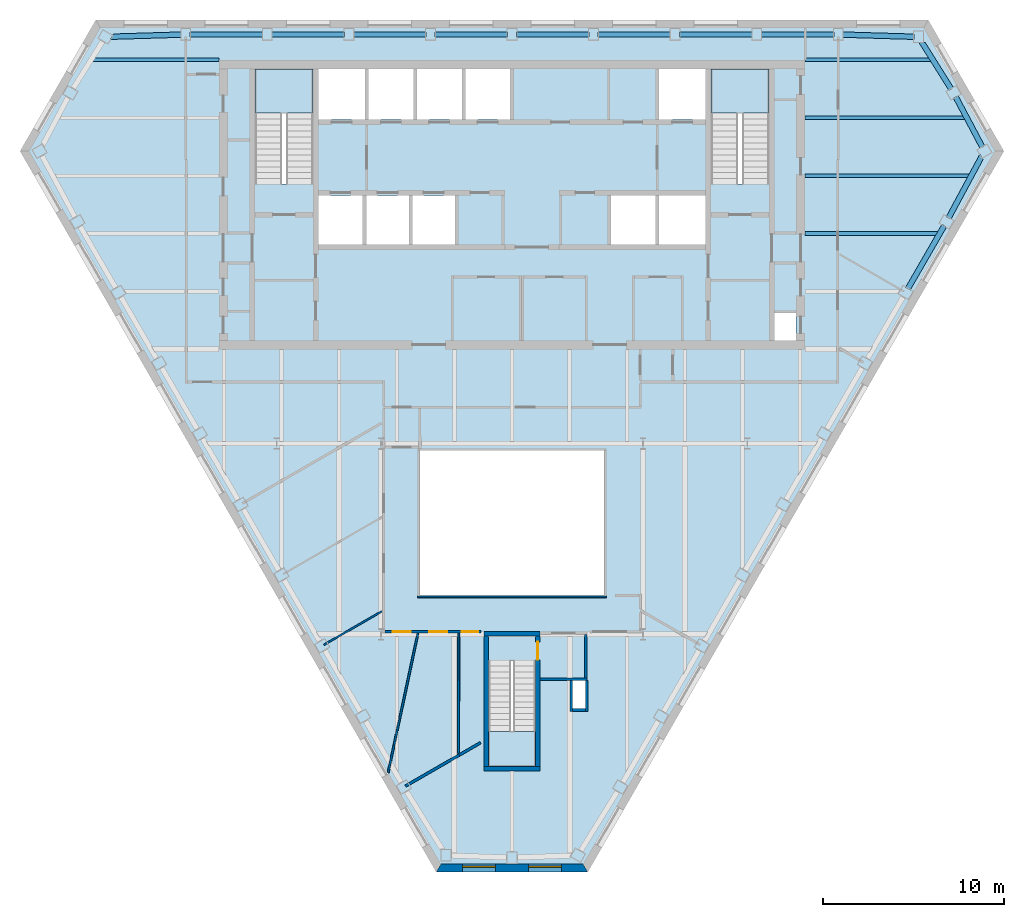
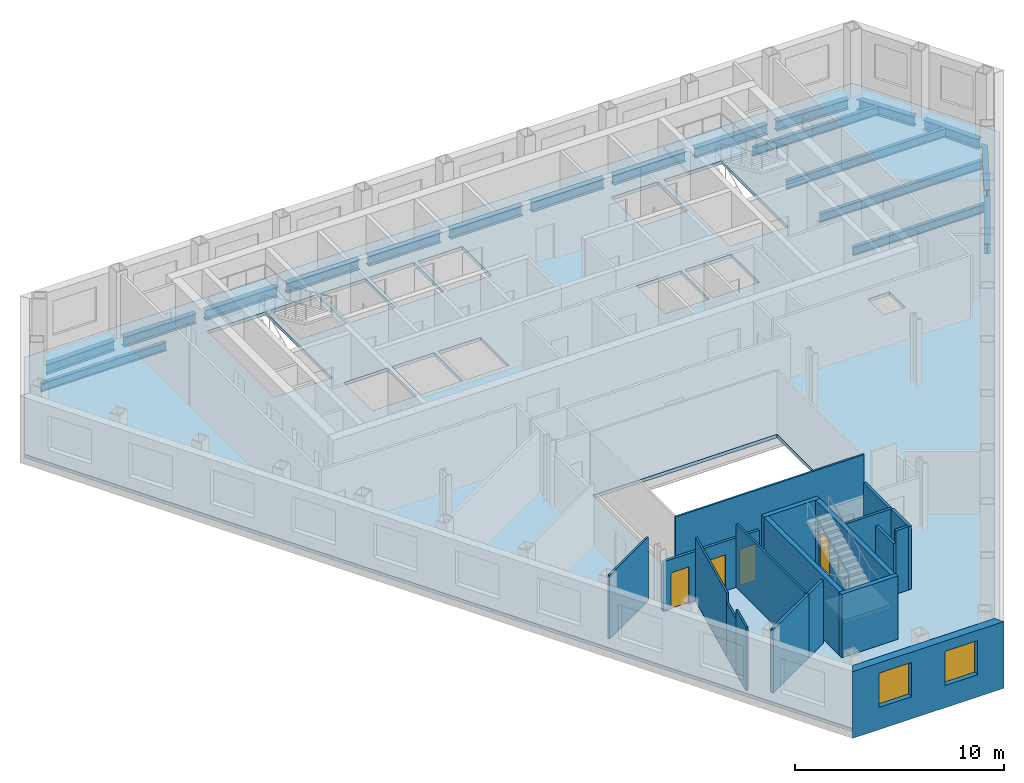
# One storey, part 3 of 10: 19 beams, 19 walls, 4 doors, 4 slabs, 2 windows, 6 openings, 3 elements without a shape of their own.
"""IFC4 building model written with IfcOpenShell, lengths in metres."""

from ifc_helpers import new_model, si_unit, direction, frame, frame_2d, origin, origin_2d, place, context, subcontext, project, spatial, polyline, rectangle, i_section, outline, extrude, clip, halfspace, material, layer, layer_set, material_profile, profile_set, type_object, element, fill, aggregate, save


model = new_model("IFC4")

# Units and contexts
model_context = context("Model", 3, precision=1e-05, world=origin(), true_north=direction((0.0, 1.0)))
body_context = subcontext(model_context, "Body", "Model", "MODEL_VIEW")
ifc_project = project(units=[si_unit("LENGTHUNIT", "METRE"), si_unit("AREAUNIT", "SQUARE_METRE"), si_unit("VOLUMEUNIT", "CUBIC_METRE"), si_unit("PLANEANGLEUNIT", "RADIAN"), si_unit("MASSUNIT", "GRAM", prefix="KILO")], contexts=[model_context])

# Site, building, storey
site_placement = place(None, origin())
site = spatial("IfcSite", under=ifc_project, at=site_placement, CompositionType="ELEMENT")
building_placement = place(site_placement, origin())
building = spatial("IfcBuilding", under=site, at=building_placement, Name="Njiva Tower", CompositionType="ELEMENT")
storey_placement = place(building_placement, frame((0.0, 0.0, 167.1)))
storey = spatial("IfcBuildingStorey", under=building, at=storey_placement, Name="L36", CompositionType="ELEMENT", Elevation=167.1)

# Beams
ifc_material_1 = material(Name="Steel S355 J2", Category="steel")
ifc_material_profile_1 = material_profile(ifc_material_1, i_section(OverallWidth=0.2, OverallDepth=0.5, WebThickness=0.0102, FlangeThickness=0.016, at=origin_2d()), Name="IPE 500")
ifc_profile_set_1 = profile_set([ifc_material_profile_1], Name="Steel S355 J2")
beam_type_1 = type_object("IfcBeamType", Name="B24 Floor beam to the core IPE 500", PredefinedType="BEAM", material=ifc_profile_set_1)
beam_1_placement = place(storey_placement, frame((16.2, 8.4, -0.45), z_axis=(1.0, 0.0, 0.0), x_axis=(0.0, 1.0, 0.0)))
element("IfcBeam", 1, at=beam_1_placement, inside=storey, type_object=beam_type_1, Name="Floor beam to the core S12-B009", PredefinedType="BEAM", context=body_context, shape_type="Clipping", body=[
    clip(extrude(i_section(OverallWidth=0.2, OverallDepth=0.5, WebThickness=0.0102, FlangeThickness=0.016, at=origin_2d()), origin(), (0.0, 0.0, 1.0), 7.396), halfspace(frame((-0.025, 0.0, 7.3036), z_axis=(-0.499998009787, 0.0, 0.866026552831), x_axis=(0.0, 1.0, 0.0)), False)),
])
beam_2_placement = place(storey_placement, frame((16.2, 11.6, -0.45), z_axis=(1.0, 0.0, 0.0), x_axis=(0.0, 1.0, 0.0)))
element("IfcBeam", 2, at=beam_2_placement, inside=storey, type_object=beam_type_1, Name="Floor beam to the core S12-B010", PredefinedType="BEAM", context=body_context, shape_type="Clipping", body=[
    clip(extrude(i_section(OverallWidth=0.2, OverallDepth=0.5, WebThickness=0.0102, FlangeThickness=0.016, at=origin_2d()), origin(), (0.0, 0.0, 1.0), 9.141), halfspace(frame((-0.0237, 0.0, 9.0542), z_axis=(-0.473769423091, 0.0, 0.880648927634), x_axis=(0.0, 1.0, 0.0)), False)),
])
beam_3_placement = place(storey_placement, frame((16.2, 14.8, -0.45), z_axis=(1.0, 0.0, 0.0), x_axis=(0.0, 1.0, 0.0)))
element("IfcBeam", 3, at=beam_3_placement, inside=storey, type_object=beam_type_1, Name="Floor beam to the core S12-B011", PredefinedType="BEAM", context=body_context, shape_type="Clipping", body=[
    clip(extrude(i_section(OverallWidth=0.2, OverallDepth=0.5, WebThickness=0.0102, FlangeThickness=0.016, at=origin_2d()), origin(), (0.0, 0.0, 1.0), 8.888), halfspace(frame((0.0234, 0.0, 8.8028), z_axis=(0.468070575493, 0.0, 0.883691086499), x_axis=(0.0, 1.0, 0.0)), False)),
])
beam_4_placement = place(storey_placement, frame((-23.221, 18.0, -0.45), z_axis=(1.0, 0.0, 0.0), x_axis=(0.0, 1.0, 0.0)))
element("IfcBeam", 4, at=beam_4_placement, inside=storey, type_object=beam_type_1, Name="Floor beam to the core S12-B004", PredefinedType="BEAM", context=body_context, shape_type="Clipping", body=[
    clip(extrude(i_section(OverallWidth=0.2, OverallDepth=0.5, WebThickness=0.0102, FlangeThickness=0.016, at=origin_2d()), origin(), (0.0, 0.0, 1.0), 7.021), halfspace(frame((0.0266, 0.0, 0.1), z_axis=(0.531259476258, 0.0, -0.847209164779), x_axis=(0.0, -1.0, 0.0)), False)),
])
beam_5_placement = place(storey_placement, frame((16.2, 18.0, -0.45), z_axis=(1.0, 0.0, 0.0), x_axis=(0.0, 1.0, 0.0)))
element("IfcBeam", 5, at=beam_5_placement, inside=storey, type_object=beam_type_1, Name="Floor beam to the core S12-B012", PredefinedType="BEAM", context=body_context, shape_type="Clipping", body=[
    clip(extrude(i_section(OverallWidth=0.2, OverallDepth=0.5, WebThickness=0.0102, FlangeThickness=0.016, at=origin_2d()), origin(), (0.0, 0.0, 1.0), 7.021), halfspace(frame((0.0266, 0.0, 6.921), z_axis=(0.531259476258, 0.0, 0.847209164779), x_axis=(0.0, 1.0, 0.0)), False)),
])
ifc_material_profile_2 = material_profile(ifc_material_1, i_section(OverallWidth=0.3, OverallDepth=0.59, WebThickness=0.013, FlangeThickness=0.025, at=origin_2d()), Name="HEA 600")
ifc_profile_set_2 = profile_set([ifc_material_profile_2], Name="Steel S355 J2")
beam_type_2 = type_object("IfcBeamType", Name="B27 Short-span spandrel beam HEA 600", PredefinedType="SPANDREL", material=ifc_profile_set_2)
beam_6_placement = place(storey_placement, frame((22.207, 19.275, -0.495), z_axis=(-0.999555557575, 0.029810859097, 0.0), x_axis=(-0.029810859097, -0.999555557575, 0.0)))
element("IfcBeam", 6, at=beam_6_placement, inside=storey, type_object=beam_type_2, Name="Short-span spandrel beam S12-B140", PredefinedType="SPANDREL", context=body_context, shape_type="SweptSolid", body=[
    extrude(i_section(OverallWidth=0.3, OverallDepth=0.59, WebThickness=0.013, FlangeThickness=0.025, at=origin_2d()), origin(), (0.0, 0.0, 1.0), 3.9247),
])
beam_7_placement = place(storey_placement, frame((17.78, 19.4, -0.495), z_axis=(-1.0, 0.0, 0.0), x_axis=(0.0, -1.0, 0.0)))
element("IfcBeam", 7, at=beam_7_placement, inside=storey, type_object=beam_type_2, Name="Short-span spandrel beam S12-B134", PredefinedType="SPANDREL", context=body_context, shape_type="SweptSolid", body=[
    extrude(i_section(OverallWidth=0.3, OverallDepth=0.59, WebThickness=0.013, FlangeThickness=0.025, at=origin_2d()), origin(), (0.0, 0.0, 1.0), 4.007),
])
beam_8_placement = place(storey_placement, frame((13.273, 19.4, -0.495), z_axis=(-1.0, 0.0, 0.0), x_axis=(0.0, -1.0, 0.0)))
element("IfcBeam", 8, at=beam_8_placement, inside=storey, type_object=beam_type_2, Name="Short-span spandrel beam S12-B129", PredefinedType="SPANDREL", context=body_context, shape_type="SweptSolid", body=[
    extrude(i_section(OverallWidth=0.3, OverallDepth=0.59, WebThickness=0.013, FlangeThickness=0.025, at=origin_2d()), origin(), (0.0, 0.0, 1.0), 4.008),
])
beam_9_placement = place(storey_placement, frame((8.765, 19.4, -0.495), z_axis=(-1.0, 0.0, 0.0), x_axis=(0.0, -1.0, 0.0)))
element("IfcBeam", 9, at=beam_9_placement, inside=storey, type_object=beam_type_2, Name="Short-span spandrel beam S12-B124", PredefinedType="SPANDREL", context=body_context, shape_type="SweptSolid", body=[
    extrude(i_section(OverallWidth=0.3, OverallDepth=0.59, WebThickness=0.013, FlangeThickness=0.025, at=origin_2d()), origin(), (0.0, 0.0, 1.0), 4.007),
])
for number, where, z_axis, x_axis, name in (
    (10, (4.258, 19.4, -0.495), (-1.0, 0.0, 0.0), (0.0, -1.0, 0.0), "Short-span spandrel beam S12-B120"),
    (11, (-0.25, 19.4, -0.495), (-1.0, 0.0, 0.0), (0.0, -1.0, 0.0), "Short-span spandrel beam S12-B115"),
):
    element("IfcBeam", number, at=place(storey_placement, frame(where, z_axis=z_axis, x_axis=x_axis)), inside=storey, type_object=beam_type_2, Name=name, PredefinedType="SPANDREL", context=body_context, shape_type="SweptSolid", body=[
        extrude(i_section(OverallWidth=0.3, OverallDepth=0.59, WebThickness=0.013, FlangeThickness=0.025, at=origin_2d()), origin(), (0.0, 0.0, 1.0), 4.008),
    ])
beam_10_placement = place(storey_placement, frame((-4.758, 19.4, -0.495), z_axis=(-1.0, 0.0, 0.0), x_axis=(0.0, -1.0, 0.0)))
element("IfcBeam", 12, at=beam_10_placement, inside=storey, type_object=beam_type_2, Name="Short-span spandrel beam S12-B109", PredefinedType="SPANDREL", context=body_context, shape_type="SweptSolid", body=[
    extrude(i_section(OverallWidth=0.3, OverallDepth=0.59, WebThickness=0.013, FlangeThickness=0.025, at=origin_2d()), origin(), (0.0, 0.0, 1.0), 4.007),
])
beam_11_placement = place(storey_placement, frame((-9.265, 19.4, -0.495), z_axis=(-1.0, 0.0, 0.0), x_axis=(0.0, -1.0, 0.0)))
element("IfcBeam", 13, at=beam_11_placement, inside=storey, type_object=beam_type_2, Name="Short-span spandrel beam S12-B104", PredefinedType="SPANDREL", context=body_context, shape_type="SweptSolid", body=[
    extrude(i_section(OverallWidth=0.3, OverallDepth=0.59, WebThickness=0.013, FlangeThickness=0.025, at=origin_2d()), origin(), (0.0, 0.0, 1.0), 4.008),
])
beam_12_placement = place(storey_placement, frame((-13.773, 19.4, -0.495), z_axis=(-1.0, 0.0, 0.0), x_axis=(0.0, -1.0, 0.0)))
element("IfcBeam", 14, at=beam_12_placement, inside=storey, type_object=beam_type_2, Name="Short-span spandrel beam S12-B099", PredefinedType="SPANDREL", context=body_context, shape_type="SweptSolid", body=[
    extrude(i_section(OverallWidth=0.3, OverallDepth=0.59, WebThickness=0.013, FlangeThickness=0.025, at=origin_2d()), origin(), (0.0, 0.0, 1.0), 4.007),
])
beam_13_placement = place(storey_placement, frame((-18.284, 19.392, -0.495), z_axis=(-0.999548343255, -0.030051780255, 0.0), x_axis=(0.030051780255, -0.999548343255, 0.0)))
element("IfcBeam", 15, at=beam_13_placement, inside=storey, type_object=beam_type_2, Name="Short-span spandrel beam S12-B093", PredefinedType="SPANDREL", context=body_context, shape_type="Clipping", body=[
    clip(extrude(i_section(OverallWidth=0.3, OverallDepth=0.59, WebThickness=0.013, FlangeThickness=0.025, at=origin_2d()), origin(), (0.0, 0.0, 1.0), 3.9397), halfspace(frame((-0.0268, 0.0, 3.81), z_axis=(-0.525797821974, 0.0, 0.850609575779), x_axis=(0.0, 1.0, 0.0)), False)),
])
beam_14_placement = place(storey_placement, frame((21.879, 5.361, -0.495), z_axis=(0.499924104568, 0.866069217599, 0.0), x_axis=(-0.866069217599, 0.499924104568, 0.0)))
element("IfcBeam", 16, at=beam_14_placement, inside=storey, type_object=beam_type_2, Name="Short-span spandrel beam S12-B144", PredefinedType="SPANDREL", context=body_context, shape_type="SweptSolid", body=[
    extrude(i_section(OverallWidth=0.3, OverallDepth=0.59, WebThickness=0.013, FlangeThickness=0.025, at=origin_2d()), origin(), (0.0, 0.0, 1.0), 4.0066),
])
beam_15_placement = place(storey_placement, frame((24.128, 9.271, -0.495), z_axis=(0.473772541358, 0.88064725007, 0.0), x_axis=(-0.88064725007, 0.473772541358, 0.0)))
element("IfcBeam", 17, at=beam_15_placement, inside=storey, type_object=beam_type_2, Name="Short-span spandrel beam S12-B148", PredefinedType="SPANDREL", context=body_context, shape_type="Clipping", body=[
    clip(extrude(i_section(OverallWidth=0.3, OverallDepth=0.59, WebThickness=0.013, FlangeThickness=0.025, at=origin_2d()), origin(), (0.0, 0.0, 1.0), 3.9397), halfspace(frame((-0.0259, 0.0, 3.8102), z_axis=(-0.525778574468, 0.0, 0.850621473178), x_axis=(0.0, 1.0, 0.0)), False)),
])
beam_16_placement = place(storey_placement, frame((25.989, 13.176, -0.495), z_axis=(-0.468107171573, 0.883671701438, 0.0), x_axis=(-0.883671701438, -0.468107171573, 0.0)))
element("IfcBeam", 18, at=beam_16_placement, inside=storey, type_object=beam_type_2, Name="Short-span spandrel beam S12-B149", PredefinedType="SPANDREL", context=body_context, shape_type="SweptSolid", body=[
    extrude(i_section(OverallWidth=0.3, OverallDepth=0.59, WebThickness=0.013, FlangeThickness=0.025, at=origin_2d()), origin(), (0.0, 0.0, 1.0), 3.1403),
])
beam_17_placement = place(storey_placement, frame((24.264, 16.392, -0.495), z_axis=(-0.531329059017, 0.847165527535, 0.0), x_axis=(-0.847165527535, -0.531329059017, 0.0)))
element("IfcBeam", 19, at=beam_17_placement, inside=storey, type_object=beam_type_2, Name="Short-span spandrel beam S12-B145", PredefinedType="SPANDREL", context=body_context, shape_type="Clipping", body=[
    clip(extrude(i_section(OverallWidth=0.3, OverallDepth=0.59, WebThickness=0.013, FlangeThickness=0.025, at=origin_2d()), origin(), (0.0, 0.0, 1.0), 3.1535), halfspace(frame((-0.0269, 0.0, 3.0227), z_axis=(-0.531329059017, 0.0, 0.847165527535), x_axis=(0.0, 1.0, 0.0)), False)),
])

# Stair, slab
ifc_material_2 = material(Name="Concrete C40/50", Category="concrete")
stair_type_1 = type_object("IfcStairType", Name="ST4 Exit stair 1500", PredefinedType="HALF_TURN_STAIR", material=ifc_material_2)
stair_1_placement = place(storey_placement, origin())
stair_1 = element("IfcStair", 20, at=stair_1_placement, inside=storey, type_object=stair_type_1, Name="Stair A", PredefinedType="HALF_TURN_STAIR")
ifc_layer_1 = layer(ifc_material_2, 0.2)
ifc_layer_set_1 = layer_set([ifc_layer_1], Name="Concrete C40/50")
slab_type_1 = type_object("IfcSlabType", Name="FL9 Stair landing 200", PredefinedType="LANDING", material=ifc_layer_set_1)
slab_1_placement = place(storey_placement, frame((0.0, 0.0, 1.75)))
slab_1 = element("IfcSlab", 21, at=slab_1_placement, type_object=slab_type_1, Name="ST-A landing 1", PredefinedType="LANDING", context=body_context, shape_type="SweptSolid", body=[
    extrude(outline(polyline([(-14.206, 15.06), (-10.994, 15.06), (-10.994, 17.5), (-14.206, 17.5), (-14.206, 15.06)])), origin(), (0.0, 0.0, 1.0), 0.2),
])
aggregate(stair_1, [slab_1])

stair_2_placement = place(storey_placement, origin())
stair_2 = element("IfcStair", 22, at=stair_2_placement, inside=storey, type_object=stair_type_1, Name="Stair B", PredefinedType="HALF_TURN_STAIR")
slab_2_placement = place(storey_placement, frame((0.0, 0.0, 1.75)))
slab_2 = element("IfcSlab", 23, at=slab_2_placement, type_object=slab_type_1, Name="ST-B landing 1", PredefinedType="LANDING", context=body_context, shape_type="SweptSolid", body=[
    extrude(outline(polyline([(10.994, 15.06), (14.206, 15.06), (14.206, 17.5), (10.994, 17.5), (10.994, 15.06)])), origin(), (0.0, 0.0, 1.0), 0.2),
])
aggregate(stair_2, [slab_2])

stair_type_2 = type_object("IfcStairType", Name="ST1 Exit stair 1250", PredefinedType="HALF_TURN_STAIR", material=ifc_material_2)
stair_3_placement = place(storey_placement, origin())
stair_3 = element("IfcStair", 24, at=stair_3_placement, inside=storey, type_object=stair_type_2, Name="Stair C", PredefinedType="HALF_TURN_STAIR")
slab_3_placement = place(storey_placement, frame((0.0, 0.0, 1.75)))
slab_3 = element("IfcSlab", 25, at=slab_3_placement, type_object=slab_type_1, Name="ST-C landing 1", PredefinedType="LANDING", context=body_context, shape_type="SweptSolid", body=[
    extrude(outline(polyline([(-1.306, -21.05), (1.306, -21.05), (1.306, -19.12), (-1.306, -19.12), (-1.306, -21.05)])), origin(), (0.0, 0.0, 1.0), 0.2),
])
aggregate(stair_3, [slab_3])

# Slab
ifc_material_3 = material(Name="Concrete C30/37", Category="concrete")
ifc_layer_2 = layer(ifc_material_3, 0.2)
ifc_layer_set_2 = layer_set([ifc_layer_2], Name="Concrete C30/37")
slab_type_2 = type_object("IfcSlabType", Name="SL16 Composite floor slab 200", PredefinedType="FLOOR", material=ifc_layer_set_2)
slab_4_placement = place(storey_placement, frame((0.0, 0.0, -0.2)))
element("IfcSlab", 26, at=slab_4_placement, inside=storey, type_object=slab_type_2, Name="Floor slab L36", PredefinedType="FLOOR", context=body_context, shape_type="SweptSolid", body=[
    extrude(outline(polyline([(26.9252, 12.9514), (4.0551, -26.6608), (-4.0551, -26.6608), (-26.9252, 12.9514), (-22.8701, 19.975), (22.8701, 19.975), (26.9252, 12.9514)]), holes=[polyline([(14.5, 2.5), (15.7, 2.5), (15.7, 4.0), (14.5, 4.0), (14.5, 2.5)]), polyline([(10.994, 11.13), (14.206, 11.13), (14.206, 17.5), (10.994, 17.5), (10.994, 11.13)]), polyline([(8.125, 14.7), (10.7, 14.7), (10.7, 17.5), (8.125, 17.5), (8.125, 14.7)]), polyline([(8.1333, 7.8), (10.7, 7.8), (10.7, 10.5), (8.1333, 10.5), (8.1333, 7.8)]), polyline([(5.4667, 7.8), (7.9333, 7.8), (7.9333, 10.5), (5.4667, 10.5), (5.4667, 7.8)]), polyline([(5.09, -11.6), (5.09, -3.6), (-5.09, -3.6), (-5.09, -11.6), (5.09, -11.6)]), polyline([(3.35, -17.85), (4.05, -17.85), (4.05, -16.3), (3.35, -16.3), (3.35, -17.85)]), polyline([(-1.306, -21.05), (1.306, -21.05), (1.306, -15.19), (-1.306, -15.19), (-1.306, -21.05)]), polyline([(-2.575, 14.7), (-0.1, 14.7), (-0.1, 17.5), (-2.575, 17.5), (-2.575, 14.7)]), polyline([(-5.25, 14.7), (-2.775, 14.7), (-2.775, 17.5), (-5.25, 17.5), (-5.25, 14.7)]), polyline([(-5.5, 7.8), (-3.15, 7.8), (-3.15, 10.5), (-5.5, 10.5), (-5.5, 7.8)]), polyline([(-7.925, 14.7), (-5.45, 14.7), (-5.45, 17.5), (-7.925, 17.5), (-7.925, 14.7)]), polyline([(-8.05, 7.8), (-5.7, 7.8), (-5.7, 10.5), (-8.05, 10.5), (-8.05, 7.8)]), polyline([(-10.7, 14.7), (-8.125, 14.7), (-8.125, 17.5), (-10.7, 17.5), (-10.7, 14.7)]), polyline([(-10.7, 7.8), (-8.25, 7.8), (-8.25, 10.5), (-10.7, 10.5), (-10.7, 7.8)]), polyline([(-14.206, 11.13), (-10.994, 11.13), (-10.994, 17.5), (-14.206, 17.5), (-14.206, 11.13)])]), origin(), (0.0, 0.0, 1.0), 0.2),
])

# Walls
ifc_material_4 = material(Name="Gypsum board on steel studs", Category="gypsum")
ifc_layer_3 = layer(ifc_material_4, 0.1)
ifc_layer_set_3 = layer_set([ifc_layer_3], Name="Gypsum board on steel studs")
wall_type_1 = type_object("IfcWallType", Name="WT20 Gypsum partition 100", PredefinedType="PARTITIONING", material=ifc_layer_set_3)
wall_1_placement = place(storey_placement, frame((-10.398, -14.325, 0.0), z_axis=(0.0, 0.0, 1.0), x_axis=(0.866041729639, 0.499971721724, 0.0)))
element("IfcWall", 27, at=wall_1_placement, inside=storey, type_object=wall_type_1, Name="Partition S12-P007", PredefinedType="PARTITIONING", context=body_context, shape_type="SweptSolid", body=[
    extrude(rectangle(XDim=3.7042, YDim=0.1, at=frame_2d((1.8521, 0.0))), origin(), (0.0, 0.0, 1.0), 3.7),
])
wall_2_placement = place(storey_placement, frame((-6.844, -21.38, 0.0), z_axis=(0.0, 0.0, 1.0), x_axis=(0.209529088731, 0.977802414077, 0.0)))
element("IfcWall", 28, at=wall_2_placement, inside=storey, type_object=wall_type_1, Name="Partition S12-P013", PredefinedType="PARTITIONING", context=body_context, shape_type="SweptSolid", body=[
    extrude(rectangle(XDim=1.542, YDim=0.1, at=frame_2d((0.771, 0.0))), origin(), (0.0, 0.0, 1.0), 3.7),
])
wall_3_placement = place(storey_placement, frame((-6.5209, -19.8722, 0.0), z_axis=(0.0, 0.0, 1.0), x_axis=(0.209543036328, 0.977799425203, 0.0)))
element("IfcWall", 29, at=wall_3_placement, inside=storey, type_object=wall_type_1, Name="Partition S12-P013A", PredefinedType="PARTITIONING", context=body_context, shape_type="SweptSolid", body=[
    extrude(rectangle(XDim=1.4689, YDim=0.1, at=frame_2d((0.7345, 0.0))), origin(), (0.0, 0.0, 1.0), 3.15),
])
wall_4_placement = place(storey_placement, frame((-6.2131, -18.4359, 0.0), z_axis=(0.0, 0.0, 1.0), x_axis=(0.209538927619, 0.977800305692, 0.0)))
element("IfcWall", 30, at=wall_4_placement, inside=storey, type_object=wall_type_1, Name="Partition S12-P013B", PredefinedType="PARTITIONING", context=body_context, shape_type="SweptSolid", body=[
    extrude(rectangle(XDim=4.8588, YDim=0.1, at=frame_2d((2.4294, 0.0))), origin(), (0.0, 0.0, 1.0), 3.7),
])
wall_5_placement = place(storey_placement, frame((-2.959, -20.324, 0.0), z_axis=(0.0, 0.0, 1.0), x_axis=(0.0028575609, 0.999995917165, 0.0)))
element("IfcWall", 31, at=wall_5_placement, inside=storey, type_object=wall_type_1, Name="Partition S12-P016", PredefinedType="PARTITIONING", context=body_context, shape_type="SweptSolid", body=[
    extrude(rectangle(XDim=6.649, YDim=0.1, at=frame_2d((3.3245, 0.0))), origin(), (0.0, 0.0, 1.0), 3.7),
])

# Wall, openings, doors
ifc_layer_4 = layer(ifc_material_4, 0.15)
ifc_layer_set_4 = layer_set([ifc_layer_4], Name="Gypsum board on steel studs")
wall_type_2 = type_object("IfcWallType", Name="WT21 Compartment wall 150", PredefinedType="PARTITIONING", material=ifc_layer_set_4)
wall_6_placement = place(storey_placement, frame((-7.015, -13.6, 0.0), z_axis=(0.0, 0.0, 1.0), x_axis=(1.0, 0.0, 0.0)))
wall_6 = element("IfcWall", 32, at=wall_6_placement, inside=storey, type_object=wall_type_2, Name="Partition S12-P012", PredefinedType="PARTITIONING", context=body_context, shape_type="SweptSolid", body=[
    extrude(rectangle(XDim=5.315, YDim=0.15, at=frame_2d((2.6575, 0.0))), origin(), (0.0, 0.0, 1.0), 2.886),
])
opening_1_placement = place(wall_6_placement, frame((0.419, 0.0, 0.0)))
opening_1 = element("IfcOpeningElement", 33, at=opening_1_placement, cuts=wall_6, Name="Opening S12-D008", PredefinedType="OPENING", context=body_context, shape_type="SweptSolid", body=[
    extrude(rectangle(XDim=1.0, YDim=2.1, at=frame_2d((0.5, 1.05))), frame((0.0, 0.085, 0.0), z_axis=(0.0, -1.0, 0.0), x_axis=(1.0, 0.0, 0.0)), (0.0, 0.0, 1.0), 0.17),
])
opening_2_placement = place(wall_6_placement, frame((2.44, 0.0, 0.0)))
opening_2 = element("IfcOpeningElement", 34, at=opening_2_placement, cuts=wall_6, Name="Opening S12-D009", PredefinedType="OPENING", context=body_context, shape_type="SweptSolid", body=[
    extrude(rectangle(XDim=1.0, YDim=2.1, at=frame_2d((0.5, 1.05))), frame((0.0, 0.085, 0.0), z_axis=(0.0, -1.0, 0.0), x_axis=(1.0, 0.0, 0.0)), (0.0, 0.0, 1.0), 0.17),
])
opening_3_placement = place(wall_6_placement, frame((4.245, 0.0, 0.0)))
opening_3 = element("IfcOpeningElement", 35, at=opening_3_placement, cuts=wall_6, Name="Opening S12-D010", PredefinedType="OPENING", context=body_context, shape_type="SweptSolid", body=[
    extrude(rectangle(XDim=0.9, YDim=2.1, at=frame_2d((0.45, 1.05))), frame((0.0, 0.085, 0.0), z_axis=(0.0, -1.0, 0.0), x_axis=(1.0, 0.0, 0.0)), (0.0, 0.0, 1.0), 0.17),
])
ifc_material_5 = material(Name="Steel fire door set", Category="steel")
door_type_1 = type_object("IfcDoorType", Name="D36 Fire door 900x2100", OperationType="SINGLE_SWING_LEFT", PredefinedType="DOOR", material=ifc_material_5)
door_1_placement = place(opening_3_placement, origin())
door_1 = element("IfcDoor", 36, at=door_1_placement, inside=storey, type_object=door_type_1, Name="Door S12-D010", OperationType="SINGLE_SWING_RIGHT", OverallHeight=2.1, OverallWidth=0.9, PredefinedType="DOOR", context=body_context, shape_type="SweptSolid", body=[
    extrude(rectangle(XDim=0.9, YDim=2.1, at=frame_2d((0.45, 1.05))), frame((0.0, 0.025, 0.0), z_axis=(0.0, -1.0, 0.0), x_axis=(1.0, 0.0, 0.0)), (0.0, 0.0, 1.0), 0.05),
])
fill(opening_3, door_1)
door_type_2 = type_object("IfcDoorType", Name="D37 Fire door 1000x2100", OperationType="SINGLE_SWING_LEFT", PredefinedType="DOOR", material=ifc_material_5)
door_2_placement = place(opening_1_placement, origin())
door_2 = element("IfcDoor", 37, at=door_2_placement, inside=storey, type_object=door_type_2, Name="Door S12-D008", OperationType="SINGLE_SWING_LEFT", OverallHeight=2.1, OverallWidth=1.0, PredefinedType="DOOR", context=body_context, shape_type="SweptSolid", body=[
    extrude(rectangle(XDim=1.0, YDim=2.1, at=frame_2d((0.5, 1.05))), frame((0.0, 0.025, 0.0), z_axis=(0.0, -1.0, 0.0), x_axis=(1.0, 0.0, 0.0)), (0.0, 0.0, 1.0), 0.05),
])
fill(opening_1, door_2)
door_3_placement = place(opening_2_placement, origin())
door_3 = element("IfcDoor", 38, at=door_3_placement, inside=storey, type_object=door_type_2, Name="Door S12-D009", OperationType="SINGLE_SWING_RIGHT", OverallHeight=2.1, OverallWidth=1.0, PredefinedType="DOOR", context=body_context, shape_type="SweptSolid", body=[
    extrude(rectangle(XDim=1.0, YDim=2.1, at=frame_2d((0.5, 1.05))), frame((0.0, 0.025, 0.0), z_axis=(0.0, -1.0, 0.0), x_axis=(1.0, 0.0, 0.0)), (0.0, 0.0, 1.0), 0.05),
])
fill(opening_2, door_3)

# Walls
wall_7_placement = place(storey_placement, frame((-5.89, -22.132, 0.0), z_axis=(0.0, 0.0, 1.0), x_axis=(0.866030409726, 0.499991329354, 0.0)))
element("IfcWall", 39, at=wall_7_placement, inside=storey, type_object=wall_type_2, Name="Partition S12-P014", PredefinedType="PARTITIONING", context=body_context, shape_type="SweptSolid", body=[
    extrude(rectangle(XDim=3.4341, YDim=0.15, at=frame_2d((1.717, 0.0))), origin(), (0.0, 0.0, 1.0), 3.7),
])
wall_8_placement = place(storey_placement, frame((-2.916, -20.415, 0.0), z_axis=(0.0, 0.0, 1.0), x_axis=(0.865426285481, 0.501036270542, 0.0)))
element("IfcWall", 40, at=wall_8_placement, inside=storey, type_object=wall_type_2, Name="Partition S12-P017", PredefinedType="PARTITIONING", context=body_context, shape_type="SweptSolid", body=[
    extrude(rectangle(XDim=1.3612, YDim=0.15, at=frame_2d((0.6806, 0.0))), origin(), (0.0, 0.0, 1.0), 3.7),
])
ifc_material_6 = material(Name="Blockwork", Category="masonry")
ifc_layer_5 = layer(ifc_material_6, 0.15)
ifc_layer_set_5 = layer_set([ifc_layer_5], Name="Blockwork")
wall_type_3 = type_object("IfcWallType", Name="WT4 Stair partition 150", PredefinedType="PARTITIONING", material=ifc_layer_set_5)
wall_9_placement = place(storey_placement, frame((1.55, -16.225, 0.0), z_axis=(0.0, 0.0, 1.0), x_axis=(1.0, 0.0, 0.0)))
element("IfcWall", 41, at=wall_9_placement, inside=storey, type_object=wall_type_3, Name="Stair C vestibule wall south", PredefinedType="PARTITIONING", context=body_context, shape_type="SweptSolid", body=[
    extrude(rectangle(XDim=2.6, YDim=0.15, at=frame_2d((1.3, 0.0))), origin(), (0.0, 0.0, 1.0), 3.7),
])
wall_10_placement = place(storey_placement, frame((4.075, -16.15, 0.0), z_axis=(0.0, 0.0, 1.0), x_axis=(0.0, 1.0, 0.0)))
element("IfcWall", 42, at=wall_10_placement, inside=storey, type_object=wall_type_3, Name="Stair C vestibule wall east", PredefinedType="PARTITIONING", context=body_context, shape_type="SweptSolid", body=[
    extrude(rectangle(XDim=2.4, YDim=0.15, at=frame_2d((1.2, 0.0))), origin(), (0.0, 0.0, 1.0), 3.7),
])
wall_11_placement = place(storey_placement, frame((3.275, -18.0, 0.0), z_axis=(0.0, 0.0, 1.0), x_axis=(0.0, 1.0, 0.0)))
element("IfcWall", 43, at=wall_11_placement, inside=storey, type_object=wall_type_3, Name="Stair C pressurisation shaft wall", PredefinedType="PARTITIONING", context=body_context, shape_type="SweptSolid", body=[
    extrude(rectangle(XDim=1.7, YDim=0.15, at=frame_2d((0.85, 0.0))), origin(), (0.0, 0.0, 1.0), 3.01),
])
wall_12_placement = place(storey_placement, frame((3.35, -17.925, 0.0), z_axis=(0.0, 0.0, 1.0), x_axis=(1.0, 0.0, 0.0)))
element("IfcWall", 44, at=wall_12_placement, inside=storey, type_object=wall_type_3, Name="Stair C pressurisation shaft wall", PredefinedType="PARTITIONING", context=body_context, shape_type="SweptSolid", body=[
    extrude(rectangle(XDim=0.7, YDim=0.15, at=frame_2d((0.35, 0.0))), origin(), (0.0, 0.0, 1.0), 3.7),
])
wall_13_placement = place(storey_placement, frame((4.125, -18.0, 0.0), z_axis=(0.0, 0.0, 1.0), x_axis=(0.0, 1.0, 0.0)))
element("IfcWall", 45, at=wall_13_placement, inside=storey, type_object=wall_type_3, Name="Stair C pressurisation shaft wall", PredefinedType="PARTITIONING", context=body_context, shape_type="SweptSolid", body=[
    extrude(rectangle(XDim=1.7, YDim=0.15, at=frame_2d((0.85, 0.0))), origin(), (0.0, 0.0, 1.0), 3.7),
])
ifc_layer_6 = layer(ifc_material_2, 0.25)
ifc_layer_set_6 = layer_set([ifc_layer_6], Name="Concrete C40/50")
wall_type_4 = type_object("IfcWallType", Name="WT9 Stair enclosure wall 250", PredefinedType="SHEAR", material=ifc_layer_set_6)
wall_14_placement = place(storey_placement, frame((-1.425, -21.05, 0.0), z_axis=(0.0, 0.0, 1.0), x_axis=(0.0, 1.0, 0.0)))
element("IfcWall", 46, at=wall_14_placement, inside=storey, type_object=wall_type_4, Name="Stair C wall west", PredefinedType="SHEAR", context=body_context, shape_type="SweptSolid", body=[
    extrude(rectangle(XDim=7.2, YDim=0.25, at=frame_2d((3.6, 0.0))), origin(), (0.0, 0.0, 1.0), 3.7),
])

# Wall, opening, door
wall_15_placement = place(storey_placement, frame((1.425, -21.05, 0.0), z_axis=(0.0, 0.0, 1.0), x_axis=(0.0, 1.0, 0.0)))
wall_15 = element("IfcWall", 47, at=wall_15_placement, inside=storey, type_object=wall_type_4, Name="Stair C wall east", PredefinedType="SHEAR", context=body_context, shape_type="SweptSolid", body=[
    extrude(rectangle(XDim=7.2, YDim=0.25, at=frame_2d((3.6, 0.0))), origin(), (0.0, 0.0, 1.0), 3.7),
])
opening_4_placement = place(wall_15_placement, frame((5.89, 0.0, 0.0)))
opening_4 = element("IfcOpeningElement", 48, at=opening_4_placement, cuts=wall_15, Name="Opening S12-D939", PredefinedType="OPENING", context=body_context, shape_type="SweptSolid", body=[
    extrude(rectangle(XDim=1.0, YDim=2.1, at=frame_2d((0.5, 1.05))), frame((0.0, 0.135, 0.0), z_axis=(0.0, -1.0, 0.0), x_axis=(1.0, 0.0, 0.0)), (0.0, 0.0, 1.0), 0.27),
])
ifc_material_7 = material(Name="Glazed steel fire door", Category="steel")
door_type_3 = type_object("IfcDoorType", Name="D9 Stair vestibule door 1000x2100 glazed", OperationType="SINGLE_SWING_LEFT", PredefinedType="DOOR", material=ifc_material_7)
door_4_placement = place(opening_4_placement, origin())
door_4 = element("IfcDoor", 49, at=door_4_placement, inside=storey, type_object=door_type_3, Name="Stair C door", OperationType="SINGLE_SWING_LEFT", OverallHeight=2.1, OverallWidth=1.0, PredefinedType="DOOR", context=body_context, shape_type="SweptSolid", body=[
    extrude(rectangle(XDim=1.0, YDim=2.1, at=frame_2d((0.5, 1.05))), frame((0.0, 0.025, 0.0), z_axis=(0.0, -1.0, 0.0), x_axis=(1.0, 0.0, 0.0)), (0.0, 0.0, 1.0), 0.05),
])
fill(opening_4, door_4)

# Walls
for number, where, z_axis, x_axis, name in (
    (50, (-1.55, -21.175, 0.0), (0.0, 0.0, 1.0), (1.0, 0.0, 0.0), "Stair C wall south"),
    (51, (-1.55, -13.725, 0.0), (0.0, 0.0, 1.0), (1.0, 0.0, 0.0), "Stair C wall north"),
):
    element("IfcWall", number, at=place(storey_placement, frame(where, z_axis=z_axis, x_axis=x_axis)), inside=storey, type_object=wall_type_4, Name=name, PredefinedType="SHEAR", context=body_context, shape_type="SweptSolid", body=[
        extrude(rectangle(XDim=3.1, YDim=0.25, at=frame_2d((1.55, 0.0))), origin(), (0.0, 0.0, 1.0), 3.7),
    ])

# Wall, openings, windows
ifc_material_8 = material(Name="Brick masonry, buff", Category="masonry")
ifc_layer_7 = layer(ifc_material_8, 0.45)
ifc_layer_set_7 = layer_set([ifc_layer_7], Name="Brick masonry, buff")
wall_type_5 = type_object("IfcWallType", Name="WT94 Brick pier and spandrel wall 450, buff", PredefinedType="SOLIDWALL", material=ifc_layer_set_7)
wall_16_placement = place(storey_placement, frame((-4.0551, -26.6608, -0.4), z_axis=(0.0, 0.0, 1.0), x_axis=(1.0, 0.0, 0.0)))
wall_16 = element("IfcWall", 52, at=wall_16_placement, inside=storey, type_object=wall_type_5, Name="Facade wall S", PredefinedType="SOLIDWALL", context=body_context, shape_type="SweptSolid", body=[
    extrude(outline(polyline([(-0.1299, -0.225), (8.2401, -0.225), (7.9803, 0.225), (0.1299, 0.225), (-0.1299, -0.225)])), origin(), (0.0, 0.0, 1.0), 3.9),
])
opening_5_placement = place(wall_16_placement, frame((1.3319, 0.0, 1.3)))
opening_5 = element("IfcOpeningElement", 53, at=opening_5_placement, cuts=wall_16, Name="Opening S12-W22", PredefinedType="OPENING", context=body_context, shape_type="SweptSolid", body=[
    extrude(rectangle(XDim=1.8, YDim=2.0, at=frame_2d((0.9, 1.0))), frame((0.0, 0.235, 0.0), z_axis=(0.0, -1.0, 0.0), x_axis=(1.0, 0.0, 0.0)), (0.0, 0.0, 1.0), 0.47),
])
opening_6_placement = place(wall_16_placement, frame((4.9782, 0.0, 1.3)))
opening_6 = element("IfcOpeningElement", 54, at=opening_6_placement, cuts=wall_16, Name="Opening S12-W23", PredefinedType="OPENING", context=body_context, shape_type="SweptSolid", body=[
    extrude(rectangle(XDim=1.8, YDim=2.0, at=frame_2d((0.9, 1.0))), frame((0.0, 0.235, 0.0), z_axis=(0.0, -1.0, 0.0), x_axis=(1.0, 0.0, 0.0)), (0.0, 0.0, 1.0), 0.47),
])
ifc_material_9 = material(Name="Clear glazing in aluminium frame", Category="aluminium")
window_type = type_object("IfcWindowType", Name="W94 Deep-set window 1800x2000", PartitioningType="SINGLE_PANEL", PredefinedType="WINDOW", material=ifc_material_9)
window_1_placement = place(opening_5_placement, origin())
window_1 = element("IfcWindow", 55, at=window_1_placement, inside=storey, type_object=window_type, Name="Window", OverallHeight=2.0, OverallWidth=1.8, PartitioningType="SINGLE_PANEL", PredefinedType="WINDOW", context=body_context, shape_type="SweptSolid", body=[
    extrude(rectangle(XDim=1.8, YDim=2.0, at=frame_2d((0.9, 1.0))), frame((0.0, 0.105, 0.0), z_axis=(0.0, -1.0, 0.0), x_axis=(1.0, 0.0, 0.0)), (0.0, 0.0, 1.0), 0.06),
])
fill(opening_5, window_1)
window_2_placement = place(opening_6_placement, origin())
window_2 = element("IfcWindow", 56, at=window_2_placement, inside=storey, type_object=window_type, Name="Window", OverallHeight=2.0, OverallWidth=1.8, PartitioningType="SINGLE_PANEL", PredefinedType="WINDOW", context=body_context, shape_type="SweptSolid", body=[
    extrude(rectangle(XDim=1.8, YDim=2.0, at=frame_2d((0.9, 1.0))), frame((0.0, 0.105, 0.0), z_axis=(0.0, -1.0, 0.0), x_axis=(1.0, 0.0, 0.0)), (0.0, 0.0, 1.0), 0.06),
])
fill(opening_6, window_2)

# Wall
ifc_material_10 = material(Name="Fire-resisting glazing EI 90", Category="glass")
ifc_layer_8 = layer(ifc_material_10, 0.1)
ifc_layer_set_8 = layer_set([ifc_layer_8], Name="Fire-resisting glazing EI 90")
wall_type_6 = type_object("IfcWallType", Name="WT95 Fire-resisting glazed screen EI 90", PredefinedType="PARTITIONING", material=ifc_layer_set_8)
wall_17_placement = place(storey_placement, frame((-5.21, -11.67, 0.0), z_axis=(0.0, 0.0, 1.0), x_axis=(1.0, 0.0, 0.0)))
element("IfcWall", 57, at=wall_17_placement, inside=storey, type_object=wall_type_6, Name="Atrium fire screen south", PredefinedType="PARTITIONING", context=body_context, shape_type="SweptSolid", body=[
    extrude(rectangle(XDim=10.42, YDim=0.1, at=frame_2d((5.21, 0.0))), origin(), (0.0, 0.0, 1.0), 3.7),
])

save(model, "model.ifc")
